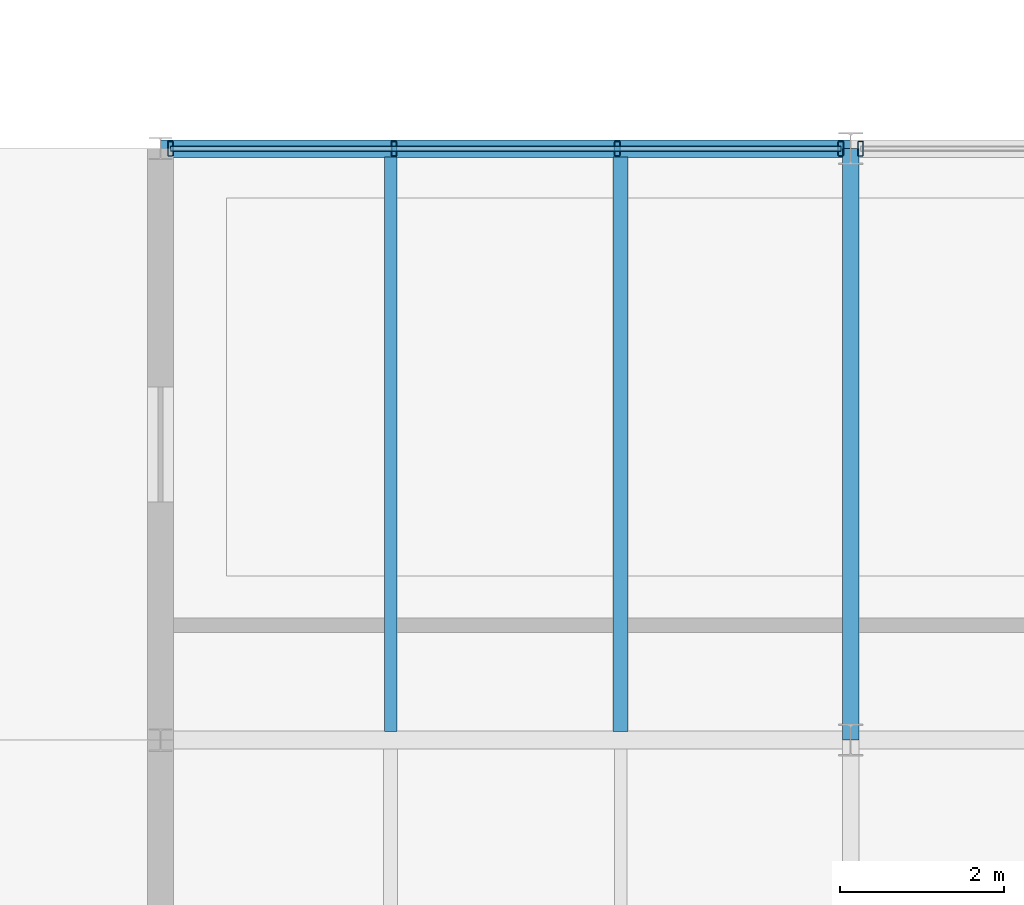
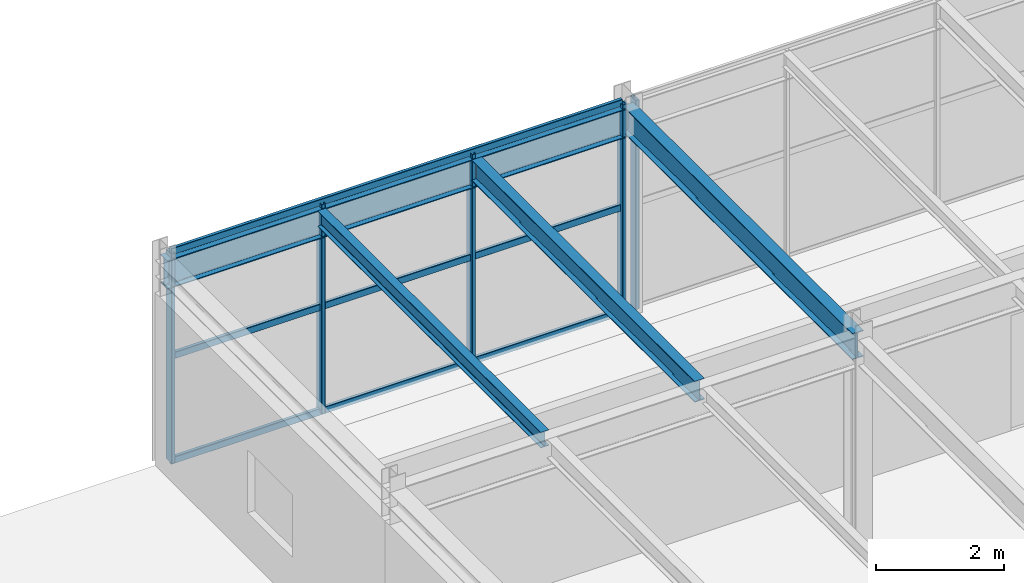
# One storey, part 27 of 73: 8 members, 4 beams, 2 elements without a shape of their own.
"""IFC4 building model written with IfcOpenShell, lengths in metres."""

from ifc_helpers import new_model, si_unit, derived_unit, direction, frame, origin, origin_2d, place, context, subcontext, project, spatial, hollow_rectangle, i_section, extrude, material, material_profile, profile_set, type_object, element, aggregate, save


model = new_model("IFC4")

# Units and contexts
model_context = context("Model", 3, precision=1e-05, world=origin(), true_north=direction((0.0, 1.0)))
body_context = subcontext(model_context, "Body", "Model", "MODEL_VIEW")
ifc_project = project(units=[si_unit("LENGTHUNIT", "METRE"), si_unit("AREAUNIT", "SQUARE_METRE"), si_unit("VOLUMEUNIT", "CUBIC_METRE"), si_unit("PLANEANGLEUNIT", "RADIAN"), si_unit("MASSUNIT", "GRAM", prefix="KILO"), derived_unit("THERMALTRANSMITTANCEUNIT", [(si_unit("MASSUNIT", "GRAM", prefix="KILO"), 1), (si_unit("TIMEUNIT", "SECOND"), -3), (si_unit("THERMODYNAMICTEMPERATUREUNIT", "KELVIN"), -1)])], contexts=[model_context])

# Site, building, storey
site_placement = place(None, origin())
site = spatial("IfcSite", under=ifc_project, at=site_placement, CompositionType="ELEMENT")
building_placement = place(site_placement, origin())
building = spatial("IfcBuilding", under=site, at=building_placement, Name="Kharveza Railside Sports Centre", CompositionType="ELEMENT")
storey_placement = place(building_placement, frame((0.0, 0.0, 8.699951171875)))
storey = spatial("IfcBuildingStorey", under=building, at=storey_placement, Name="L02", CompositionType="ELEMENT", Elevation=8.699951171875)

# Beams
ifc_material_1 = material(Name="Steel S355J2", Category="steel")
ifc_material_profile_1 = material_profile(ifc_material_1, i_section(OverallWidth=0.2099609375, OverallDepth=0.550048828125, WebThickness=0.010986328125, FlangeThickness=0.01708984375, FilletRadius=0.02392578125, at=origin_2d()), Name="IPE 550")
ifc_profile_set_1 = profile_set([ifc_material_profile_1], Name="Steel S355J2")
beam_type_1 = type_object("IfcBeamType", Name="BM-G02", PredefinedType="T_BEAM", material=ifc_profile_set_1)
beam_1_placement = place(storey_placement, frame((117.60009765625, 36.0, 3.64501953125), z_axis=(1.0, 0.0, 0.0), x_axis=(0.0, 1.0, 0.0)))
element("IfcBeam", 1, at=beam_1_placement, inside=storey, type_object=beam_type_1, Name="BM-EW-L02-B02-X1176-Y360", PredefinedType="T_BEAM", context=body_context, shape_type="SweptSolid", body=[
    extrude(i_section(OverallWidth=0.2099609375, OverallDepth=0.550048828125, WebThickness=0.010986328125, FlangeThickness=0.01708984375, FilletRadius=0.02392578125, at=origin_2d()), origin(), (0.0, 0.0, 1.0), 8.39990234375),
])
ifc_material_profile_2 = material_profile(ifc_material_1, i_section(OverallWidth=0.199951171875, OverallDepth=0.5, WebThickness=0.01025390625, FlangeThickness=0.01611328125, FilletRadius=0.02099609375, at=origin_2d()), Name="IPE 500")
ifc_profile_set_2 = profile_set([ifc_material_profile_2], Name="Steel S355J2")
beam_type_2 = type_object("IfcBeamType", Name="BM-G03", PredefinedType="T_BEAM", material=ifc_profile_set_2)
beam_2_placement = place(storey_placement, frame((126.0, 28.800048828125, 3.670166015625), z_axis=(0.0, 1.0, 0.0), x_axis=(-1.0, 0.0, 0.0)))
element("IfcBeam", 2, at=beam_2_placement, inside=storey, type_object=beam_type_2, Name="BM-NS-L02-B03-X1260-Y288", PredefinedType="T_BEAM", context=body_context, shape_type="SweptSolid", body=[
    extrude(i_section(OverallWidth=0.199951171875, OverallDepth=0.5, WebThickness=0.01025390625, FlangeThickness=0.01611328125, FilletRadius=0.02099609375, at=origin_2d()), origin(), (0.0, 0.0, 1.0), 7.199951171875),
])
ifc_material_profile_3 = material_profile(ifc_material_1, i_section(OverallWidth=0.179931640625, OverallDepth=0.39990234375, WebThickness=0.008544921875, FlangeThickness=0.013427734375, FilletRadius=0.02099609375, at=origin_2d()), Name="IPE 400")
ifc_profile_set_3 = profile_set([ifc_material_profile_3], Name="Steel S355J2")
beam_type_3 = type_object("IfcBeamType", Name="BM-S01", PredefinedType="BEAM", material=ifc_profile_set_3)
beam_3_placement = place(storey_placement, frame((123.199951171875, 28.906982421875, 3.719970703125), z_axis=(0.0, 1.0, 0.0), x_axis=(-1.0, 0.0, 0.0)))
element("IfcBeam", 3, at=beam_3_placement, inside=storey, type_object=beam_type_3, Name="BM-SEC-L02-B09-X1232-Y288", PredefinedType="BEAM", context=body_context, shape_type="SweptSolid", body=[
    extrude(i_section(OverallWidth=0.179931640625, OverallDepth=0.39990234375, WebThickness=0.008544921875, FlangeThickness=0.013427734375, FilletRadius=0.02099609375, at=origin_2d()), origin(), (0.0, 0.0, 1.0), 6.990966796875),
])
ifc_material_profile_4 = material_profile(ifc_material_1, i_section(OverallWidth=0.14990234375, OverallDepth=0.300048828125, WebThickness=0.007080078125, FlangeThickness=0.0107421875, FilletRadius=0.014892578125, at=origin_2d()), Name="IPE 300")
ifc_profile_set_4 = profile_set([ifc_material_profile_4], Name="Steel S355J2")
beam_type_4 = type_object("IfcBeamType", Name="BM-S04", PredefinedType="BEAM", material=ifc_profile_set_4)
beam_4_placement = place(storey_placement, frame((120.39990234375, 28.906982421875, 3.77001953125), z_axis=(0.0, 1.0, 0.0), x_axis=(-1.0, 0.0, 0.0)))
element("IfcBeam", 4, at=beam_4_placement, inside=storey, type_object=beam_type_4, Name="BM-SEC-L02-B12-X1204-Y288", PredefinedType="BEAM", context=body_context, shape_type="SweptSolid", body=[
    extrude(i_section(OverallWidth=0.14990234375, OverallDepth=0.300048828125, WebThickness=0.007080078125, FlangeThickness=0.0107421875, FilletRadius=0.014892578125, at=origin_2d()), origin(), (0.0, 0.0, 1.0), 6.990966796875),
])

# Curtain wall, member
ifc_material_2 = material(Name="Low-E solar-control laminated glass", Category="glass")
curtain_wall_type = type_object("IfcCurtainWallType", Name="CW-WG01", PredefinedType="NOTDEFINED", material=ifc_material_2)
curtain_wall_1_placement = place(storey_placement, origin())
curtain_wall_1 = element("IfcCurtainWall", 5, at=curtain_wall_1_placement, inside=storey, type_object=curtain_wall_type, Name="CW-WG-L02-CW-WG01-X1302-Y360", PredefinedType="NOTDEFINED")
ifc_material_3 = material(Name="Anodised aluminium 6063-T6", Category="aluminium")
ifc_material_profile_5 = material_profile(ifc_material_3, hollow_rectangle(XDim=0.070068359375, YDim=0.179931640625, WallThickness=0.00634765625, InnerFilletRadius=0.00634765625, OuterFilletRadius=0.0126953125, at=origin_2d()), Name="RHS 70x180x6.3")
ifc_profile_set_5 = profile_set([ifc_material_profile_5], Name="Anodised aluminium 6063-T6")
member_type_1 = type_object("IfcMemberType", Name="CW-ML03", PredefinedType="MULLION", material=ifc_profile_set_5)
member_1_placement = place(storey_placement, frame((126.1201171875, 36.0, 0.0), z_axis=(0.0, 0.0, 1.0), x_axis=(1.0, 0.0, 0.0)))
member_1 = element("IfcMember", 6, at=member_1_placement, type_object=member_type_1, Name="CW-WG-L02-CW-WG01-X1302-Y360-ML4", PredefinedType="MULLION", context=body_context, shape_type="SweptSolid", body=[
    extrude(hollow_rectangle(XDim=0.070068359375, YDim=0.179931640625, WallThickness=0.00634765625, InnerFilletRadius=0.00634765625, OuterFilletRadius=0.0126953125, at=origin_2d()), origin(), (0.0, 0.0, 1.0), 4.0),
])
aggregate(curtain_wall_1, [member_1])

# Curtain wall, members
curtain_wall_2_placement = place(storey_placement, origin())
curtain_wall_2 = element("IfcCurtainWall", 7, at=curtain_wall_2_placement, inside=storey, type_object=curtain_wall_type, Name="CW-WG-L02-CW-WG01-X1218-Y360", PredefinedType="NOTDEFINED")
member_2_placement = place(storey_placement, frame((125.8798828125, 36.0, 0.0), z_axis=(0.0, 0.0, 1.0), x_axis=(1.0, 0.0, 0.0)))
member_2 = element("IfcMember", 8, at=member_2_placement, type_object=member_type_1, Name="CW-WG-L02-CW-WG01-X1218-Y360-ML1", PredefinedType="MULLION", context=body_context, shape_type="SweptSolid", body=[
    extrude(hollow_rectangle(XDim=0.070068359375, YDim=0.179931640625, WallThickness=0.00634765625, InnerFilletRadius=0.00634765625, OuterFilletRadius=0.0126953125, at=origin_2d()), origin(), (0.0, 0.0, 1.0), 4.0),
])
member_3_placement = place(storey_placement, frame((123.159912109375, 36.0, 0.0), z_axis=(0.0, 0.0, 1.0), x_axis=(1.0, 0.0, 0.0)))
member_3 = element("IfcMember", 9, at=member_3_placement, type_object=member_type_1, Name="CW-WG-L02-CW-WG01-X1218-Y360-ML2", PredefinedType="MULLION", context=body_context, shape_type="SweptSolid", body=[
    extrude(hollow_rectangle(XDim=0.070068359375, YDim=0.179931640625, WallThickness=0.00634765625, InnerFilletRadius=0.00634765625, OuterFilletRadius=0.0126953125, at=origin_2d()), origin(), (0.0, 0.0, 1.0), 4.0),
])
member_4_placement = place(storey_placement, frame((120.43994140625, 36.0, 0.0), z_axis=(0.0, 0.0, 1.0), x_axis=(1.0, 0.0, 0.0)))
member_4 = element("IfcMember", 10, at=member_4_placement, type_object=member_type_1, Name="CW-WG-L02-CW-WG01-X1218-Y360-ML3", PredefinedType="MULLION", context=body_context, shape_type="SweptSolid", body=[
    extrude(hollow_rectangle(XDim=0.070068359375, YDim=0.179931640625, WallThickness=0.00634765625, InnerFilletRadius=0.00634765625, OuterFilletRadius=0.0126953125, at=origin_2d()), origin(), (0.0, 0.0, 1.0), 4.0),
])
member_5_placement = place(storey_placement, frame((117.719970703125, 36.0, 0.0), z_axis=(0.0, 0.0, 1.0), x_axis=(1.0, 0.0, 0.0)))
member_5 = element("IfcMember", 11, at=member_5_placement, type_object=member_type_1, Name="CW-WG-L02-CW-WG01-X1218-Y360-ML4", PredefinedType="MULLION", context=body_context, shape_type="SweptSolid", body=[
    extrude(hollow_rectangle(XDim=0.070068359375, YDim=0.179931640625, WallThickness=0.00634765625, InnerFilletRadius=0.00634765625, OuterFilletRadius=0.0126953125, at=origin_2d()), origin(), (0.0, 0.0, 1.0), 4.0),
])
ifc_material_profile_6 = material_profile(ifc_material_3, hollow_rectangle(XDim=0.06494140625, YDim=0.1298828125, WallThickness=0.0048828125, InnerFilletRadius=0.0048828125, OuterFilletRadius=0.010009765625, at=origin_2d()), Name="RHS 65x130x5.0")
ifc_profile_set_6 = profile_set([ifc_material_profile_6], Name="Anodised aluminium 6063-T6")
member_type_2 = type_object("IfcMemberType", Name="CW-TR03", PredefinedType="USERDEFINED", material=ifc_profile_set_6)
member_6_placement = place(storey_placement, frame((125.8798828125, 36.0, 0.0), z_axis=(-1.0, 0.0, 0.0), x_axis=(0.0, -1.0, 0.0)))
member_6 = element("IfcMember", 12, at=member_6_placement, type_object=member_type_2, Name="CW-WG-L02-CW-WG01-X1218-Y360-TR1", ObjectType="TRANSOM", PredefinedType="USERDEFINED", context=body_context, shape_type="SweptSolid", body=[
    extrude(hollow_rectangle(XDim=0.06494140625, YDim=0.1298828125, WallThickness=0.0048828125, InnerFilletRadius=0.0048828125, OuterFilletRadius=0.010009765625, at=origin_2d()), origin(), (0.0, 0.0, 1.0), 8.159912109375),
])
member_7_placement = place(storey_placement, frame((125.8798828125, 36.0, 2.0), z_axis=(-1.0, 0.0, 0.0), x_axis=(0.0, -1.0, 0.0)))
member_7 = element("IfcMember", 13, at=member_7_placement, type_object=member_type_2, Name="CW-WG-L02-CW-WG01-X1218-Y360-TR2", ObjectType="TRANSOM", PredefinedType="USERDEFINED", context=body_context, shape_type="SweptSolid", body=[
    extrude(hollow_rectangle(XDim=0.06494140625, YDim=0.1298828125, WallThickness=0.0048828125, InnerFilletRadius=0.0048828125, OuterFilletRadius=0.010009765625, at=origin_2d()), origin(), (0.0, 0.0, 1.0), 8.159912109375),
])
member_8_placement = place(storey_placement, frame((125.8798828125, 36.0, 4.0), z_axis=(-1.0, 0.0, 0.0), x_axis=(0.0, -1.0, 0.0)))
member_8 = element("IfcMember", 14, at=member_8_placement, type_object=member_type_2, Name="CW-WG-L02-CW-WG01-X1218-Y360-TR3", ObjectType="TRANSOM", PredefinedType="USERDEFINED", context=body_context, shape_type="SweptSolid", body=[
    extrude(hollow_rectangle(XDim=0.06494140625, YDim=0.1298828125, WallThickness=0.0048828125, InnerFilletRadius=0.0048828125, OuterFilletRadius=0.010009765625, at=origin_2d()), origin(), (0.0, 0.0, 1.0), 8.159912109375),
])
aggregate(curtain_wall_2, [member_2, member_3, member_4, member_5, member_6, member_7, member_8])

save(model, "model.ifc")
